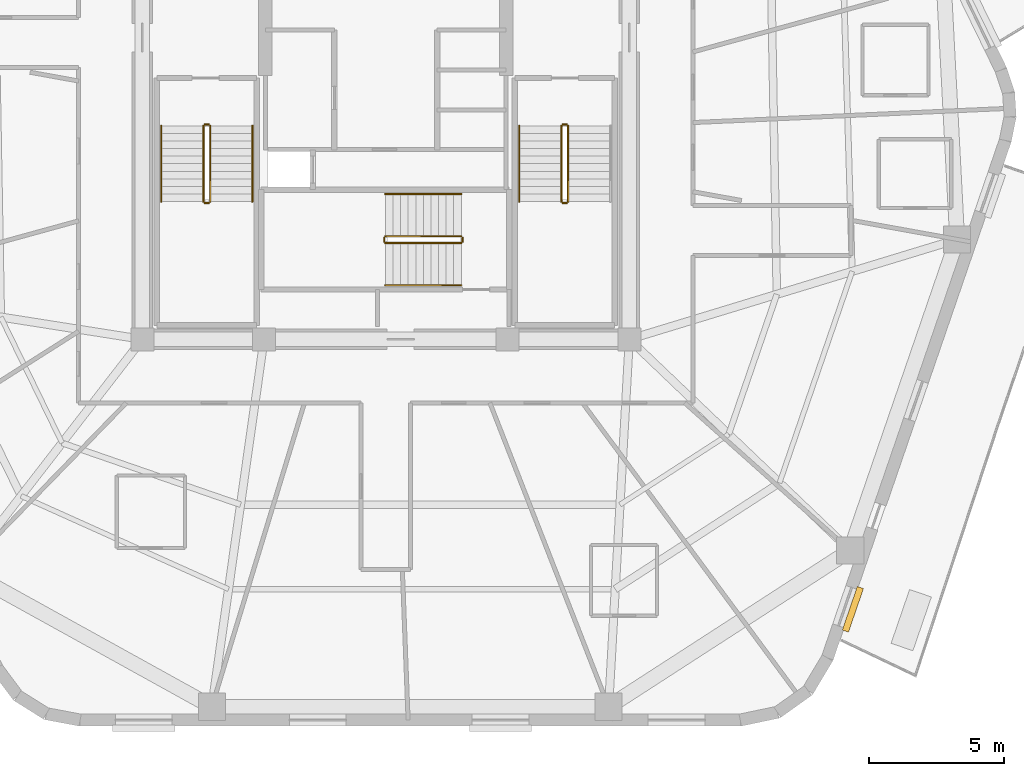
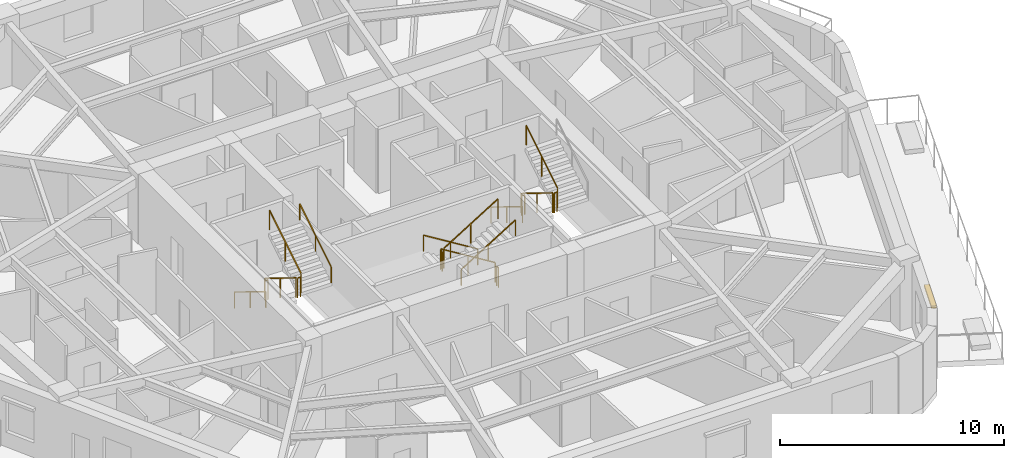
# One storey, part 9 of 10: 17 railings, 1 shading device.
"""IFC4 building model written with IfcOpenShell, lengths in metres."""

from ifc_helpers import new_model, si_unit, direction, frame, origin, origin_2d, place, context, subcontext, project, spatial, rectangle, extrude, material, layer, layer_set, type_object, element, save


model = new_model("IFC4")

# Units and contexts
model_context = context("Model", 3, precision=1e-05, world=origin(), true_north=direction((0.0, 1.0)))
body_context = subcontext(model_context, "Body", "Model", "MODEL_VIEW")
ifc_project = project(units=[si_unit("LENGTHUNIT", "METRE"), si_unit("AREAUNIT", "SQUARE_METRE"), si_unit("VOLUMEUNIT", "CUBIC_METRE"), si_unit("PLANEANGLEUNIT", "RADIAN"), si_unit("MASSUNIT", "GRAM", prefix="KILO")], contexts=[model_context])

# Site, building, storey
site_placement = place(None, origin())
site = spatial("IfcSite", under=ifc_project, at=site_placement, CompositionType="ELEMENT")
building_placement = place(site_placement, origin())
building = spatial("IfcBuilding", under=site, at=building_placement, Name="Kilnhurst Terrace Hotel", CompositionType="ELEMENT")
storey_placement = place(building_placement, frame((0.0, 0.0, 206.5)))
storey = spatial("IfcBuildingStorey", under=building, at=storey_placement, Name="L51", CompositionType="ELEMENT", Elevation=206.5)

# Railings
ifc_material_1 = material(Name="Powder-Coated Steel ASTM A500 Grade B", Category="steel")
ifc_layer_1 = layer(ifc_material_1, 0.050048828125, Name="Powder-Coated Steel ASTM A500 Grade B")
ifc_layer_set_1 = layer_set([ifc_layer_1], Name="Powder-Coated Steel ASTM A500 Grade B")
railing_type_1 = type_object("IfcRailingType", Name="RLG-ST-GRD-1100", PredefinedType="GUARDRAIL", material=ifc_layer_set_1)
railing_1_placement = place(storey_placement, frame((-6.739990234375, 0.389892578125, 0.172607421875)))
element("IfcRailing", 1, at=railing_1_placement, inside=storey, type_object=railing_type_1, Name="L51 ST-1 stair guard 1", PredefinedType="GUARDRAIL", context=body_context, shape_type="SweptSolid", body=[
    extrude(rectangle(XDim=0.048095703125, YDim=0.048095703125, at=origin_2d()), frame((0.0, 0.0, 1.076171875), z_axis=(0.0, -0.851069175582, 0.525053576669), x_axis=(1.0, 0.0, 0.0)), (0.0, 0.0, 1.0), 3.289794921875),
    extrude(rectangle(XDim=0.0419921875, YDim=0.0419921875, at=origin_2d()), origin(), (0.0, 0.0, 1.0), 1.052001953125),
    extrude(rectangle(XDim=0.0419921875, YDim=0.0419921875, at=origin_2d()), frame((0.0, -1.39990234375, 0.86376953125)), (0.0, 0.0, 1.0), 1.052001953125),
    extrude(rectangle(XDim=0.0419921875, YDim=0.0419921875, at=origin_2d()), frame((0.0, -2.7998046875, 1.727294921875)), (0.0, 0.0, 1.0), 1.052001953125),
])
railing_2_placement = place(storey_placement, frame((-6.68994140625, -2.4599609375, 1.89990234375)))
element("IfcRailing", 2, at=railing_2_placement, inside=storey, type_object=railing_type_1, Name="L51 ST-1 stair guard 2", PredefinedType="GUARDRAIL", context=body_context, shape_type="SweptSolid", body=[
    extrude(rectangle(XDim=0.048095703125, YDim=0.048095703125, at=origin_2d()), frame((0.0, 0.0, 1.076171875), z_axis=(1.0, 0.0, 0.0), x_axis=(0.0, 1.0, 0.0)), (0.0, 0.0, 1.0), 0.14990234375),
    extrude(rectangle(XDim=0.0419921875, YDim=0.0419921875, at=origin_2d()), origin(), (0.0, 0.0, 1.0), 1.052001953125),
    extrude(rectangle(XDim=0.0419921875, YDim=0.0419921875, at=origin_2d()), frame((0.14990234375, 0.0, 0.0)), (0.0, 0.0, 1.0), 1.052001953125),
])
railing_3_placement = place(storey_placement, frame((-6.489990234375, -2.409912109375, 2.07275390625)))
element("IfcRailing", 3, at=railing_3_placement, inside=storey, type_object=railing_type_1, Name="L51 ST-1 stair guard 3", PredefinedType="GUARDRAIL", context=body_context, shape_type="SweptSolid", body=[
    extrude(rectangle(XDim=0.048095703125, YDim=0.048095703125, at=origin_2d()), frame((0.0, 0.0, 1.076171875), z_axis=(0.0, 0.851069175582, 0.525053576669), x_axis=(-1.0, 0.0, 0.0)), (0.0, 0.0, 1.0), 3.289794921875),
    extrude(rectangle(XDim=0.0419921875, YDim=0.0419921875, at=origin_2d()), origin(), (0.0, 0.0, 1.0), 1.052001953125),
    extrude(rectangle(XDim=0.0419921875, YDim=0.0419921875, at=origin_2d()), frame((0.0, 1.39990234375, 0.86376953125)), (0.0, 0.0, 1.0), 1.052001953125),
    extrude(rectangle(XDim=0.0419921875, YDim=0.0419921875, at=origin_2d()), frame((0.0, 2.7998046875, 1.727294921875)), (0.0, 0.0, 1.0), 1.052001953125),
])
railing_4_placement = place(storey_placement, frame((-6.68994140625, 0.43994140625, 0.0)))
element("IfcRailing", 4, at=railing_4_placement, inside=storey, type_object=railing_type_1, Name="L51 ST-1 stair guard 4", PredefinedType="GUARDRAIL", context=body_context, shape_type="SweptSolid", body=[
    extrude(rectangle(XDim=0.048095703125, YDim=0.048095703125, at=origin_2d()), frame((0.0, 0.0, 1.076171875), z_axis=(1.0, 0.0, 0.0), x_axis=(0.0, 1.0, 0.0)), (0.0, 0.0, 1.0), 0.14990234375),
    extrude(rectangle(XDim=0.0419921875, YDim=0.0419921875, at=origin_2d()), origin(), (0.0, 0.0, 1.0), 1.052001953125),
    extrude(rectangle(XDim=0.0419921875, YDim=0.0419921875, at=origin_2d()), frame((0.14990234375, 0.0, 0.0)), (0.0, 0.0, 1.0), 1.052001953125),
])
railing_5_placement = place(storey_placement, frame((6.489990234375, 0.389892578125, 0.172607421875)))
element("IfcRailing", 5, at=railing_5_placement, inside=storey, type_object=railing_type_1, Name="L51 ST-2 stair guard 1", PredefinedType="GUARDRAIL", context=body_context, shape_type="SweptSolid", body=[
    extrude(rectangle(XDim=0.048095703125, YDim=0.048095703125, at=origin_2d()), frame((0.0, 0.0, 1.076171875), z_axis=(0.0, -0.851069175582, 0.525053576669), x_axis=(1.0, 0.0, 0.0)), (0.0, 0.0, 1.0), 3.289794921875),
    extrude(rectangle(XDim=0.0419921875, YDim=0.0419921875, at=origin_2d()), origin(), (0.0, 0.0, 1.0), 1.052001953125),
    extrude(rectangle(XDim=0.0419921875, YDim=0.0419921875, at=origin_2d()), frame((0.0, -1.39990234375, 0.86376953125)), (0.0, 0.0, 1.0), 1.052001953125),
    extrude(rectangle(XDim=0.0419921875, YDim=0.0419921875, at=origin_2d()), frame((0.0, -2.7998046875, 1.727294921875)), (0.0, 0.0, 1.0), 1.052001953125),
])
railing_6_placement = place(storey_placement, frame((6.5400390625, -2.4599609375, 1.89990234375)))
element("IfcRailing", 6, at=railing_6_placement, inside=storey, type_object=railing_type_1, Name="L51 ST-2 stair guard 2", PredefinedType="GUARDRAIL", context=body_context, shape_type="SweptSolid", body=[
    extrude(rectangle(XDim=0.048095703125, YDim=0.048095703125, at=origin_2d()), frame((0.0, 0.0, 1.076171875), z_axis=(1.0, 0.0, 0.0), x_axis=(0.0, 1.0, 0.0)), (0.0, 0.0, 1.0), 0.14990234375),
    extrude(rectangle(XDim=0.0419921875, YDim=0.0419921875, at=origin_2d()), origin(), (0.0, 0.0, 1.0), 1.052001953125),
    extrude(rectangle(XDim=0.0419921875, YDim=0.0419921875, at=origin_2d()), frame((0.14990234375, 0.0, 0.0)), (0.0, 0.0, 1.0), 1.052001953125),
])
railing_7_placement = place(storey_placement, frame((6.739990234375, -2.409912109375, 2.07275390625)))
element("IfcRailing", 7, at=railing_7_placement, inside=storey, type_object=railing_type_1, Name="L51 ST-2 stair guard 3", PredefinedType="GUARDRAIL", context=body_context, shape_type="SweptSolid", body=[
    extrude(rectangle(XDim=0.048095703125, YDim=0.048095703125, at=origin_2d()), frame((0.0, 0.0, 1.076171875), z_axis=(0.0, 0.851069175582, 0.525053576669), x_axis=(-1.0, 0.0, 0.0)), (0.0, 0.0, 1.0), 3.289794921875),
    extrude(rectangle(XDim=0.0419921875, YDim=0.0419921875, at=origin_2d()), origin(), (0.0, 0.0, 1.0), 1.052001953125),
    extrude(rectangle(XDim=0.0419921875, YDim=0.0419921875, at=origin_2d()), frame((0.0, 1.39990234375, 0.86376953125)), (0.0, 0.0, 1.0), 1.052001953125),
    extrude(rectangle(XDim=0.0419921875, YDim=0.0419921875, at=origin_2d()), frame((0.0, 2.7998046875, 1.727294921875)), (0.0, 0.0, 1.0), 1.052001953125),
])
railing_8_placement = place(storey_placement, frame((6.5400390625, 0.43994140625, 0.0)))
element("IfcRailing", 8, at=railing_8_placement, inside=storey, type_object=railing_type_1, Name="L51 ST-2 stair guard 4", PredefinedType="GUARDRAIL", context=body_context, shape_type="SweptSolid", body=[
    extrude(rectangle(XDim=0.048095703125, YDim=0.048095703125, at=origin_2d()), frame((0.0, 0.0, 1.076171875), z_axis=(1.0, 0.0, 0.0), x_axis=(0.0, 1.0, 0.0)), (0.0, 0.0, 1.0), 0.14990234375),
    extrude(rectangle(XDim=0.0419921875, YDim=0.0419921875, at=origin_2d()), origin(), (0.0, 0.0, 1.0), 1.052001953125),
    extrude(rectangle(XDim=0.0419921875, YDim=0.0419921875, at=origin_2d()), frame((0.14990234375, 0.0, 0.0)), (0.0, 0.0, 1.0), 1.052001953125),
])
railing_9_placement = place(storey_placement, frame((2.7900390625, -3.68994140625, 0.172607421875)))
element("IfcRailing", 9, at=railing_9_placement, inside=storey, type_object=railing_type_1, Name="L51 ST-3 stair guard 1", PredefinedType="GUARDRAIL", context=body_context, shape_type="SweptSolid", body=[
    extrude(rectangle(XDim=0.048095703125, YDim=0.048095703125, at=origin_2d()), frame((0.0, 0.0, 1.076171875), z_axis=(-0.851089632645, 0.0, 0.525020415988), x_axis=(0.0, -1.0, 0.0)), (0.0, 0.0, 1.0), 3.2900390625),
    extrude(rectangle(XDim=0.0419921875, YDim=0.0419921875, at=origin_2d()), origin(), (0.0, 0.0, 1.0), 1.052001953125),
    extrude(rectangle(XDim=0.0419921875, YDim=0.0419921875, at=origin_2d()), frame((-1.39990234375, 0.0, 0.86376953125)), (0.0, 0.0, 1.0), 1.052001953125),
    extrude(rectangle(XDim=0.0419921875, YDim=0.0419921875, at=origin_2d()), frame((-2.800048828125, 0.0, 1.727294921875)), (0.0, 0.0, 1.0), 1.052001953125),
])
railing_10_placement = place(storey_placement, frame((-0.06005859375, -3.739990234375, 1.89990234375)))
element("IfcRailing", 10, at=railing_10_placement, inside=storey, type_object=railing_type_1, Name="L51 ST-3 stair guard 2", PredefinedType="GUARDRAIL", context=body_context, shape_type="SweptSolid", body=[
    extrude(rectangle(XDim=0.048095703125, YDim=0.048095703125, at=origin_2d()), frame((0.0, 0.0, 1.076171875), z_axis=(0.0, -1.0, 0.0), x_axis=(1.0, 0.0, 0.0)), (0.0, 0.0, 1.0), 0.14990234375),
    extrude(rectangle(XDim=0.0419921875, YDim=0.0419921875, at=origin_2d()), origin(), (0.0, 0.0, 1.0), 1.052001953125),
    extrude(rectangle(XDim=0.0419921875, YDim=0.0419921875, at=origin_2d()), frame((0.0, -0.14990234375, 0.0)), (0.0, 0.0, 1.0), 1.052001953125),
])
railing_11_placement = place(storey_placement, frame((-0.010009765625, -3.93994140625, 2.07275390625)))
element("IfcRailing", 11, at=railing_11_placement, inside=storey, type_object=railing_type_1, Name="L51 ST-3 stair guard 3", PredefinedType="GUARDRAIL", context=body_context, shape_type="SweptSolid", body=[
    extrude(rectangle(XDim=0.048095703125, YDim=0.048095703125, at=origin_2d()), frame((0.0, 0.0, 1.076171875), z_axis=(0.851089632645, 0.0, 0.525020415988), x_axis=(0.0, 1.0, 0.0)), (0.0, 0.0, 1.0), 3.2900390625),
    extrude(rectangle(XDim=0.0419921875, YDim=0.0419921875, at=origin_2d()), origin(), (0.0, 0.0, 1.0), 1.052001953125),
    extrude(rectangle(XDim=0.0419921875, YDim=0.0419921875, at=origin_2d()), frame((1.39990234375, 0.0, 0.86376953125)), (0.0, 0.0, 1.0), 1.052001953125),
    extrude(rectangle(XDim=0.0419921875, YDim=0.0419921875, at=origin_2d()), frame((2.800048828125, 0.0, 1.727294921875)), (0.0, 0.0, 1.0), 1.052001953125),
])
railing_12_placement = place(storey_placement, frame((2.840087890625, -3.739990234375, 0.0)))
element("IfcRailing", 12, at=railing_12_placement, inside=storey, type_object=railing_type_1, Name="L51 ST-3 stair guard 4", PredefinedType="GUARDRAIL", context=body_context, shape_type="SweptSolid", body=[
    extrude(rectangle(XDim=0.048095703125, YDim=0.048095703125, at=origin_2d()), frame((0.0, 0.0, 1.076171875), z_axis=(0.0, -1.0, 0.0), x_axis=(1.0, 0.0, 0.0)), (0.0, 0.0, 1.0), 0.14990234375),
    extrude(rectangle(XDim=0.0419921875, YDim=0.0419921875, at=origin_2d()), origin(), (0.0, 0.0, 1.0), 1.052001953125),
    extrude(rectangle(XDim=0.0419921875, YDim=0.0419921875, at=origin_2d()), frame((0.0, -0.14990234375, 0.0)), (0.0, 0.0, 1.0), 1.052001953125),
])
ifc_material_2 = material(Name="Brushed Stainless Steel AISI 304", Category="steel")
ifc_layer_2 = layer(ifc_material_2, 0.048095703125, Name="Brushed Stainless Steel AISI 304")
ifc_layer_set_2 = layer_set([ifc_layer_2], Name="Brushed Stainless Steel AISI 304")
railing_type_2 = type_object("IfcRailingType", Name="RLG-ST-HRL-900", PredefinedType="HANDRAIL", material=ifc_layer_set_2)
railing_13_placement = place(storey_placement, frame((-8.300048828125, 0.389892578125, 0.172607421875)))
element("IfcRailing", 13, at=railing_13_placement, inside=storey, type_object=railing_type_2, Name="L51 ST-1 stair handrail 1", PredefinedType="HANDRAIL", context=body_context, shape_type="SweptSolid", body=[
    extrude(rectangle(XDim=0.048095703125, YDim=0.048095703125, at=origin_2d()), frame((0.0, 0.0, 0.8759765625), z_axis=(0.0, -0.851069175582, 0.525053576669), x_axis=(1.0, 0.0, 0.0)), (0.0, 0.0, 1.0), 3.289794921875),
    extrude(rectangle(XDim=0.0419921875, YDim=0.0419921875, at=origin_2d()), origin(), (0.0, 0.0, 1.0), 0.851806640625),
    extrude(rectangle(XDim=0.0419921875, YDim=0.0419921875, at=origin_2d()), frame((0.0, -1.39990234375, 0.86376953125)), (0.0, 0.0, 1.0), 0.851806640625),
    extrude(rectangle(XDim=0.0419921875, YDim=0.0419921875, at=origin_2d()), frame((0.0, -2.7998046875, 1.727294921875)), (0.0, 0.0, 1.0), 0.851806640625),
])
railing_14_placement = place(storey_placement, frame((-4.929931640625, -2.409912109375, 2.07275390625)))
element("IfcRailing", 14, at=railing_14_placement, inside=storey, type_object=railing_type_2, Name="L51 ST-1 stair handrail 2", PredefinedType="HANDRAIL", context=body_context, shape_type="SweptSolid", body=[
    extrude(rectangle(XDim=0.048095703125, YDim=0.048095703125, at=origin_2d()), frame((0.0, 0.0, 0.8759765625), z_axis=(0.0, 0.851069175582, 0.525053576669), x_axis=(-1.0, 0.0, 0.0)), (0.0, 0.0, 1.0), 3.289794921875),
    extrude(rectangle(XDim=0.0419921875, YDim=0.0419921875, at=origin_2d()), origin(), (0.0, 0.0, 1.0), 0.851806640625),
    extrude(rectangle(XDim=0.0419921875, YDim=0.0419921875, at=origin_2d()), frame((0.0, 1.39990234375, 0.86376953125)), (0.0, 0.0, 1.0), 0.851806640625),
    extrude(rectangle(XDim=0.0419921875, YDim=0.0419921875, at=origin_2d()), frame((0.0, 2.7998046875, 1.727294921875)), (0.0, 0.0, 1.0), 0.851806640625),
])
railing_15_placement = place(storey_placement, frame((4.929931640625, 0.389892578125, 0.172607421875)))
element("IfcRailing", 15, at=railing_15_placement, inside=storey, type_object=railing_type_2, Name="L51 ST-2 stair handrail 1", PredefinedType="HANDRAIL", context=body_context, shape_type="SweptSolid", body=[
    extrude(rectangle(XDim=0.048095703125, YDim=0.048095703125, at=origin_2d()), frame((0.0, 0.0, 0.8759765625), z_axis=(0.0, -0.851069175582, 0.525053576669), x_axis=(1.0, 0.0, 0.0)), (0.0, 0.0, 1.0), 3.289794921875),
    extrude(rectangle(XDim=0.0419921875, YDim=0.0419921875, at=origin_2d()), origin(), (0.0, 0.0, 1.0), 0.851806640625),
    extrude(rectangle(XDim=0.0419921875, YDim=0.0419921875, at=origin_2d()), frame((0.0, -1.39990234375, 0.86376953125)), (0.0, 0.0, 1.0), 0.851806640625),
    extrude(rectangle(XDim=0.0419921875, YDim=0.0419921875, at=origin_2d()), frame((0.0, -2.7998046875, 1.727294921875)), (0.0, 0.0, 1.0), 0.851806640625),
])
railing_16_placement = place(storey_placement, frame((2.7900390625, -2.1298828125, 0.172607421875)))
element("IfcRailing", 16, at=railing_16_placement, inside=storey, type_object=railing_type_2, Name="L51 ST-3 stair handrail 1", PredefinedType="HANDRAIL", context=body_context, shape_type="SweptSolid", body=[
    extrude(rectangle(XDim=0.048095703125, YDim=0.048095703125, at=origin_2d()), frame((0.0, 0.0, 0.8759765625), z_axis=(-0.851089632645, 0.0, 0.525020415988), x_axis=(0.0, -1.0, 0.0)), (0.0, 0.0, 1.0), 3.2900390625),
    extrude(rectangle(XDim=0.0419921875, YDim=0.0419921875, at=origin_2d()), origin(), (0.0, 0.0, 1.0), 0.851806640625),
    extrude(rectangle(XDim=0.0419921875, YDim=0.0419921875, at=origin_2d()), frame((-1.39990234375, 0.0, 0.86376953125)), (0.0, 0.0, 1.0), 0.851806640625),
    extrude(rectangle(XDim=0.0419921875, YDim=0.0419921875, at=origin_2d()), frame((-2.800048828125, 0.0, 1.727294921875)), (0.0, 0.0, 1.0), 0.851806640625),
])
railing_17_placement = place(storey_placement, frame((-0.010009765625, -5.5, 2.07275390625)))
element("IfcRailing", 17, at=railing_17_placement, inside=storey, type_object=railing_type_2, Name="L51 ST-3 stair handrail 2", PredefinedType="HANDRAIL", context=body_context, shape_type="SweptSolid", body=[
    extrude(rectangle(XDim=0.048095703125, YDim=0.048095703125, at=origin_2d()), frame((0.0, 0.0, 0.8759765625), z_axis=(0.851089632645, 0.0, 0.525020415988), x_axis=(0.0, 1.0, 0.0)), (0.0, 0.0, 1.0), 3.2900390625),
    extrude(rectangle(XDim=0.0419921875, YDim=0.0419921875, at=origin_2d()), origin(), (0.0, 0.0, 1.0), 0.851806640625),
    extrude(rectangle(XDim=0.0419921875, YDim=0.0419921875, at=origin_2d()), frame((1.39990234375, 0.0, 0.86376953125)), (0.0, 0.0, 1.0), 0.851806640625),
    extrude(rectangle(XDim=0.0419921875, YDim=0.0419921875, at=origin_2d()), frame((2.800048828125, 0.0, 1.727294921875)), (0.0, 0.0, 1.0), 0.851806640625),
])

# Shading device
ifc_material_3 = material(Name="Terracotta Baguette Sunshade on Aluminium Alloy 6063-T6", Category="masonry")
ifc_layer_3 = layer(ifc_material_3, 0.199951171875, Name="Terracotta Baguette Sunshade on Aluminium Alloy 6063-T6")
ifc_layer_set_3 = layer_set([ifc_layer_3], Name="Terracotta Baguette Sunshade on Aluminium Alloy 6063-T6")
shading_device_type = type_object("IfcShadingDeviceType", Name="SHD-SUN-200", PredefinedType="JALOUSIE", material=ifc_layer_set_3)
shading_device_placement = place(storey_placement, frame((17.263671875, -17.47998046875, 2.6298828125), z_axis=(0.0, 0.0, 1.0), x_axis=(0.325089542819, 0.94568323933, 0.0)))
element("IfcShadingDevice", 18, at=shading_device_placement, inside=storey, type_object=shading_device_type, Name="L51 Terracotta Window Sunshade F2.1", PredefinedType="JALOUSIE", context=body_context, shape_type="SweptSolid", body=[
    extrude(rectangle(XDim=1.699951171875, YDim=0.239990234375, at=origin_2d()), origin(), (0.0, 0.0, 1.0), 0.139892578125),
])

save(model, "model.ifc")
